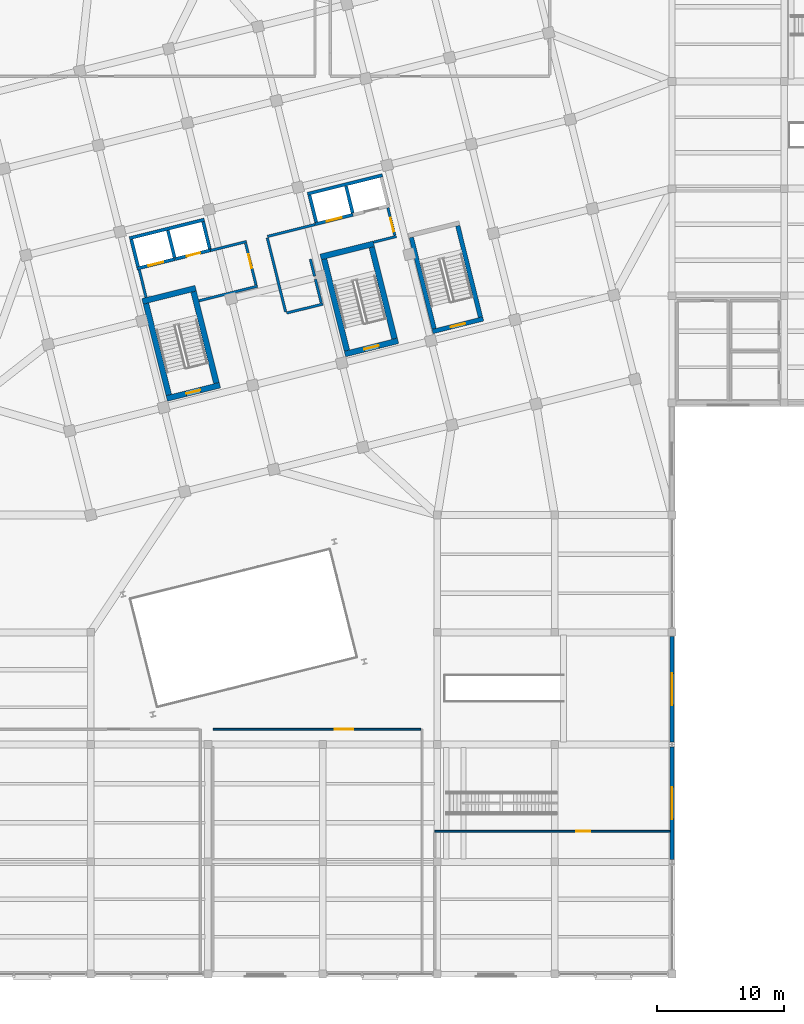
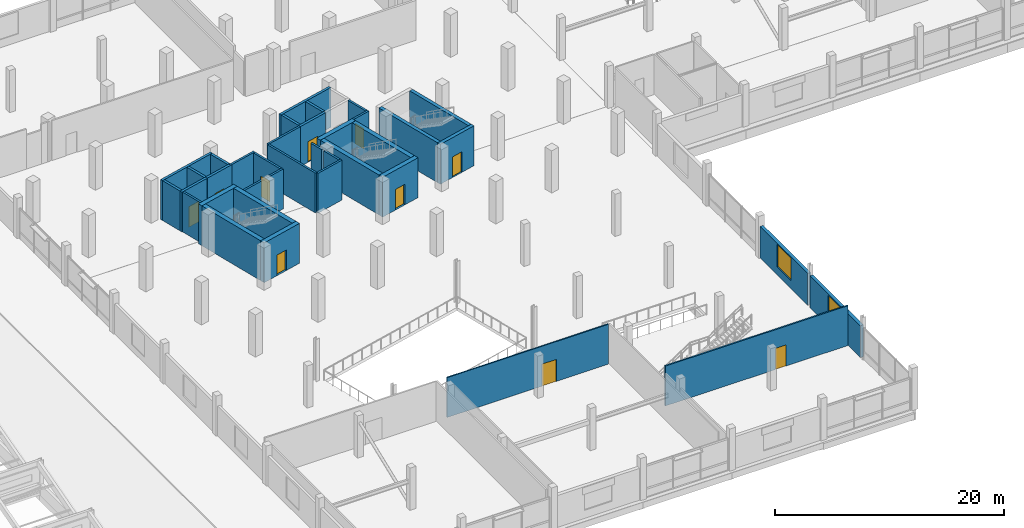
# One storey, part 66 of 77: 36 walls, 10 doors, 2 windows, 12 openings.
"""IFC4 building model written with IfcOpenShell, lengths in metres."""

from ifc_helpers import new_model, si_unit, direction, frame, frame_2d, origin, place, context, subcontext, project, spatial, rectangle, extrude, material, layer, layer_set, type_object, element, fill, save


model = new_model("IFC4")

# Units and contexts
model_context = context("Model", 3, precision=1e-05, world=origin(), true_north=direction((0.0, 1.0)))
body_context = subcontext(model_context, "Body", "Model", "MODEL_VIEW")
ifc_project = project(units=[si_unit("LENGTHUNIT", "METRE"), si_unit("AREAUNIT", "SQUARE_METRE"), si_unit("VOLUMEUNIT", "CUBIC_METRE"), si_unit("PLANEANGLEUNIT", "RADIAN"), si_unit("MASSUNIT", "GRAM", prefix="KILO")], contexts=[model_context])

# Site, building, storey
site_placement = place(None, origin())
site = spatial("IfcSite", under=ifc_project, at=site_placement, CompositionType="ELEMENT")
building_placement = place(site_placement, origin())
building = spatial("IfcBuilding", under=site, at=building_placement, Name="Meriwether Solvik Hall", CompositionType="ELEMENT")
storey_placement = place(building_placement, frame((0.0, 0.0, 9.89990234375)))
storey = spatial("IfcBuildingStorey", under=building, at=storey_placement, Name="L02", CompositionType="ELEMENT", Elevation=9.89990234375)

# Wall, opening, window
ifc_material_1 = material(Name="Concrete C40/50 Precast", Category="concrete")
ifc_layer_1 = layer(ifc_material_1, 0.31494140625)
ifc_layer_set_1 = layer_set([ifc_layer_1], Name="Concrete C40/50 Precast")
wall_type_1 = type_object("IfcWallType", Name="WALL-EXT-315", PredefinedType="SOLIDWALL", material=ifc_layer_set_1)
wall_1_placement = place(storey_placement, frame((114.199951171875, 23.010009765625, 0.0), z_axis=(0.0, 0.0, 1.0), x_axis=(0.0, -1.0, 0.0)))
wall_1 = element("IfcWall", 1, at=wall_1_placement, inside=storey, type_object=wall_type_1, Name="L02 E Wing Facade Wall Y13_2_38", PredefinedType="SOLIDWALL", context=body_context, shape_type="SweptSolid", body=[
    extrude(rectangle(XDim=8.820068359375, YDim=0.31494140625, at=frame_2d((4.41015625, 0.0))), origin(), (0.0, 0.0, 1.0), 3.39501953125),
])
opening_1_placement = place(wall_1_placement, frame((3.159912109375, 0.0, 0.85009765625)))
opening_1 = element("IfcOpeningElement", 2, at=opening_1_placement, cuts=wall_1, Name="Opening WN-144", PredefinedType="OPENING", context=body_context, shape_type="SweptSolid", body=[
    extrude(rectangle(XDim=2.5, YDim=2.39990234375, at=frame_2d((1.25, 1.199951171875))), frame((0.0, 0.16943359375, 0.0), z_axis=(0.0, -1.0, 0.0), x_axis=(1.0, 0.0, 0.0)), (0.0, 0.0, 1.0), 0.3388671875),
])
ifc_material_2 = material(Name="Thermally Broken Anodised Aluminium and Triple Low-E Glass", Category="aluminium")
window_type = type_object("IfcWindowType", Name="WIN-POD-EAST-250X240", PartitioningType="SINGLE_PANEL", PredefinedType="WINDOW", material=ifc_material_2)
window_1_placement = place(opening_1_placement, origin())
window_1 = element("IfcWindow", 3, at=window_1_placement, inside=storey, type_object=window_type, Name="L02 E Window Y13_2_38", OverallHeight=2.39990234375, OverallWidth=2.5, PartitioningType="SINGLE_PANEL", PredefinedType="WINDOW", context=body_context, shape_type="SweptSolid", body=[
    extrude(rectangle(XDim=2.5, YDim=2.39990234375, at=frame_2d((1.25, 1.199951171875))), frame((0.0, 0.030029296875, 0.0), z_axis=(0.0, -1.0, 0.0), x_axis=(1.0, 0.0, 0.0)), (0.0, 0.0, 1.0), 0.06005859375),
])
fill(opening_1, window_1)

wall_2_placement = place(storey_placement, frame((114.199951171875, 31.68798828125, 0.0), z_axis=(0.0, 0.0, 1.0), x_axis=(0.0, -1.0, 0.0)))
wall_2 = element("IfcWall", 4, at=wall_2_placement, inside=storey, type_object=wall_type_1, Name="L02 E Wing Facade Wall Y13_3_39", PredefinedType="SOLIDWALL", context=body_context, shape_type="SweptSolid", body=[
    extrude(rectangle(XDim=8.298095703125, YDim=0.31494140625, at=frame_2d((4.14892578125, 0.0))), origin(), (0.0, 0.0, 1.0), 3.39501953125),
])
opening_2_placement = place(wall_2_placement, frame((2.89892578125, 0.0, 0.85009765625)))
opening_2 = element("IfcOpeningElement", 5, at=opening_2_placement, cuts=wall_2, Name="Opening WN-144", PredefinedType="OPENING", context=body_context, shape_type="SweptSolid", body=[
    extrude(rectangle(XDim=2.5, YDim=2.39990234375, at=frame_2d((1.25, 1.199951171875))), frame((0.0, 0.16943359375, 0.0), z_axis=(0.0, -1.0, 0.0), x_axis=(1.0, 0.0, 0.0)), (0.0, 0.0, 1.0), 0.3388671875),
])
window_2_placement = place(opening_2_placement, origin())
window_2 = element("IfcWindow", 6, at=window_2_placement, inside=storey, type_object=window_type, Name="L02 E Window Y13_3_39", OverallHeight=2.39990234375, OverallWidth=2.5, PartitioningType="SINGLE_PANEL", PredefinedType="WINDOW", context=body_context, shape_type="SweptSolid", body=[
    extrude(rectangle(XDim=2.5, YDim=2.39990234375, at=frame_2d((1.25, 1.199951171875))), frame((0.0, 0.030029296875, 0.0), z_axis=(0.0, -1.0, 0.0), x_axis=(1.0, 0.0, 0.0)), (0.0, 0.0, 1.0), 0.06005859375),
])
fill(opening_2, window_2)

# Walls
ifc_material_3 = material(Name="Fire-Rated Type X Gypsum Board", Category="gypsum")
ifc_layer_2 = layer(ifc_material_3, 0.199951171875)
ifc_layer_set_2 = layer_set([ifc_layer_2], Name="Fire-Rated Type X Gypsum Board")
wall_type_2 = type_object("IfcWallType", Name="WALL-FIRE-200", PredefinedType="STANDARD", material=ifc_layer_set_2)
wall_3_placement = place(storey_placement, frame((72.94970703125, 58.269287109375, 0.0), z_axis=(0.0, 0.0, 1.0), x_axis=(-0.24194311862, 0.970290434536, 0.0)))
element("IfcWall", 7, at=wall_3_placement, inside=storey, type_object=wall_type_2, Name="L02 Interior Partition lb1_w", PredefinedType="STANDARD", context=body_context, shape_type="SweptSolid", body=[
    extrude(rectangle(XDim=2.22998046875, YDim=0.199951171875, at=frame_2d((1.114990234375, 0.0))), origin(), (0.0, 0.0, 1.0), 4.255126953125),
])
wall_4_placement = place(storey_placement, frame((77.096923828125, 58.0048828125, 0.0), z_axis=(0.0, 0.0, 1.0), x_axis=(0.970305892741, 0.241881116483, 0.0)))
element("IfcWall", 8, at=wall_4_placement, inside=storey, type_object=wall_type_2, Name="L02 Interior Partition lb1_s", PredefinedType="STANDARD", context=body_context, shape_type="SweptSolid", body=[
    extrude(rectangle(XDim=4.73974609375, YDim=0.199951171875, at=frame_2d((2.369873046875, 0.0))), origin(), (0.0, 0.0, 1.0), 4.255126953125),
])
wall_5_placement = place(storey_placement, frame((77.991943359375, 61.938232421875, 0.0), z_axis=(0.0, 0.0, 1.0), x_axis=(0.970304586447, 0.241886356621, 0.0)))
element("IfcWall", 9, at=wall_5_placement, inside=storey, type_object=wall_type_2, Name="L02 Interior Partition lb1_n_cap", PredefinedType="STANDARD", context=body_context, shape_type="SweptSolid", body=[
    extrude(rectangle(XDim=2.919921875, YDim=0.199951171875, at=frame_2d((1.4599609375, 0.0))), origin(), (0.0, 0.0, 1.0), 4.255126953125),
])

# Wall, opening, door
wall_6_placement = place(storey_placement, frame((80.75732421875, 62.50390625, 0.0), z_axis=(0.0, 0.0, 1.0), x_axis=(0.241885902723, -0.970304699599, 0.0)))
wall_6 = element("IfcWall", 10, at=wall_6_placement, inside=storey, type_object=wall_type_2, Name="L02 Interior Partition lb1_e", PredefinedType="STANDARD", context=body_context, shape_type="SweptSolid", body=[
    extrude(rectangle(XDim=3.360107421875, YDim=0.199951171875, at=frame_2d((1.68017578125, 0.0))), origin(), (0.0, 0.0, 1.0), 4.255126953125),
])
opening_3_placement = place(wall_6_placement, frame((0.889892578125, 0.0, 0.0)))
opening_3 = element("IfcOpeningElement", 11, at=opening_3_placement, cuts=wall_6, Name="Opening D-168", PredefinedType="OPENING", context=body_context, shape_type="SweptSolid", body=[
    extrude(rectangle(XDim=1.10009765625, YDim=2.199951171875, at=frame_2d((0.550048828125, 1.10009765625))), frame((0.0, 0.11181640625, 0.0), z_axis=(0.0, -1.0, 0.0), x_axis=(1.0, 0.0, 0.0)), (0.0, 0.0, 1.0), 0.223876953125),
])
ifc_material_4 = material(Name="Steel A36 Galvanised", Category="steel")
door_type_1 = type_object("IfcDoorType", Name="DR-FD60-1100L", OperationType="SINGLE_SWING_LEFT", PredefinedType="DOOR", material=ifc_material_4)
door_1_placement = place(opening_3_placement, origin())
door_1 = element("IfcDoor", 12, at=door_1_placement, inside=storey, type_object=door_type_1, Name="West FSAE Lift Lobby Door (L02)", OperationType="SINGLE_SWING_LEFT", OverallHeight=2.199951171875, OverallWidth=1.10009765625, PredefinedType="DOOR", context=body_context, shape_type="SweptSolid", body=[
    extrude(rectangle(XDim=1.10009765625, YDim=2.199951171875, at=frame_2d((0.550048828125, 1.10009765625))), frame((0.0, 0.02490234375, 0.0), z_axis=(0.0, -1.0, 0.0), x_axis=(1.0, 0.0, 0.0)), (0.0, 0.0, 1.0), 0.050048828125),
])
fill(opening_3, door_1)

# Walls
wall_7_placement = place(storey_placement, frame((82.452880859375, 62.93701171875, 0.0), z_axis=(0.0, 0.0, 1.0), x_axis=(0.241891967324, -0.970303187743, 0.0)))
element("IfcWall", 13, at=wall_7_placement, inside=storey, type_object=wall_type_2, Name="L02 Interior Partition lb2_w", PredefinedType="STANDARD", context=body_context, shape_type="SweptSolid", body=[
    extrude(rectangle(XDim=5.97998046875, YDim=0.199951171875, at=frame_2d((2.989990234375, 0.0))), origin(), (0.0, 0.0, 1.0), 4.255126953125),
])
wall_8_placement = place(storey_placement, frame((83.972412109375, 57.03955078125, 0.0), z_axis=(0.0, 0.0, 1.0), x_axis=(0.970308790931, 0.241869490102, 0.0)))
element("IfcWall", 14, at=wall_8_placement, inside=storey, type_object=wall_type_2, Name="L02 Interior Partition lb2_s_w", PredefinedType="STANDARD", context=body_context, shape_type="SweptSolid", body=[
    extrude(rectangle(XDim=2.932373046875, YDim=0.199951171875, at=frame_2d((1.46630859375, 0.0))), origin(), (0.0, 0.0, 1.0), 4.255126953125),
])
wall_9_placement = place(storey_placement, frame((86.691650390625, 57.841064453125, 0.0), z_axis=(0.0, 0.0, 1.0), x_axis=(-0.241992731984, 0.970278062035, 0.0)))
element("IfcWall", 15, at=wall_9_placement, inside=storey, type_object=wall_type_2, Name="L02 Interior Partition lb2_e_low", PredefinedType="STANDARD", context=body_context, shape_type="SweptSolid", body=[
    extrude(rectangle(XDim=1.90478515625, YDim=0.199951171875, at=frame_2d((0.952392578125, 0.0))), origin(), (0.0, 0.0, 1.0), 4.255126953125),
])
wall_10_placement = place(storey_placement, frame((86.169921875, 59.932861328125, 0.0), z_axis=(0.0, 0.0, 1.0), x_axis=(-0.241824833036, 0.970319921535, 0.0)))
element("IfcWall", 16, at=wall_10_placement, inside=storey, type_object=wall_type_2, Name="L02 Interior Partition lb2_e_low_s2", PredefinedType="STANDARD", context=body_context, shape_type="SweptSolid", body=[
    extrude(rectangle(XDim=1.3740234375, YDim=0.199951171875, at=frame_2d((0.68701171875, 0.0))), origin(), (0.0, 0.0, 1.0), 4.255126953125),
])
wall_11_placement = place(storey_placement, frame((82.47265625, 63.05517578125, 0.0), z_axis=(0.0, 0.0, 1.0), x_axis=(0.970284368558, 0.241967444366, 0.0)))
element("IfcWall", 17, at=wall_11_placement, inside=storey, type_object=wall_type_2, Name="L02 Interior Partition lb2_n_cap_w", PredefinedType="STANDARD", context=body_context, shape_type="SweptSolid", body=[
    extrude(rectangle(XDim=3.84228515625, YDim=0.199951171875, at=frame_2d((1.921142578125, 0.0))), origin(), (0.0, 0.0, 1.0), 4.255126953125),
])
wall_12_placement = place(storey_placement, frame((90.791015625, 62.604248046875, 0.0), z_axis=(0.0, 0.0, 1.0), x_axis=(0.970306180373, 0.241879962645, 0.0)))
element("IfcWall", 18, at=wall_12_placement, inside=storey, type_object=wall_type_2, Name="L02 Interior Partition lb2_s", PredefinedType="STANDARD", context=body_context, shape_type="SweptSolid", body=[
    extrude(rectangle(XDim=1.840087890625, YDim=0.199951171875, at=frame_2d((0.919921875, 0.0))), origin(), (0.0, 0.0, 1.0), 4.255126953125),
])

# Wall, opening, door
wall_13_placement = place(storey_placement, frame((91.913330078125, 65.295654296875, 0.0), z_axis=(0.0, 0.0, 1.0), x_axis=(0.241836892041, -0.970316916089, 0.0)))
wall_13 = element("IfcWall", 19, at=wall_13_placement, inside=storey, type_object=wall_type_2, Name="L02 Interior Partition lb2_e", PredefinedType="STANDARD", context=body_context, shape_type="SweptSolid", body=[
    extrude(rectangle(XDim=2.219970703125, YDim=0.199951171875, at=frame_2d((1.10986328125, 0.0))), origin(), (0.0, 0.0, 1.0), 4.255126953125),
])
opening_4_placement = place(wall_13_placement, frame((0.820068359375, 0.0, 0.0)))
opening_4 = element("IfcOpeningElement", 20, at=opening_4_placement, cuts=wall_13, Name="Opening D-168", PredefinedType="OPENING", context=body_context, shape_type="SweptSolid", body=[
    extrude(rectangle(XDim=1.10009765625, YDim=2.199951171875, at=frame_2d((0.550048828125, 1.10009765625))), frame((0.0, 0.11181640625, 0.0), z_axis=(0.0, -1.0, 0.0), x_axis=(1.0, 0.0, 0.0)), (0.0, 0.0, 1.0), 0.223876953125),
])
door_2_placement = place(opening_4_placement, origin())
door_2 = element("IfcDoor", 21, at=door_2_placement, inside=storey, type_object=door_type_1, Name="East FSAE Lift Lobby Door (L02)", OperationType="SINGLE_SWING_LEFT", OverallHeight=2.199951171875, OverallWidth=1.10009765625, PredefinedType="DOOR", context=body_context, shape_type="SweptSolid", body=[
    extrude(rectangle(XDim=1.10009765625, YDim=2.199951171875, at=frame_2d((0.550048828125, 1.10009765625))), frame((0.0, 0.02490234375, 0.0), z_axis=(0.0, -1.0, 0.0), x_axis=(1.0, 0.0, 0.0)), (0.0, 0.0, 1.0), 0.050048828125),
])
fill(opening_4, door_2)

# Walls
ifc_material_5 = material(Name="Concrete C40/50", Category="concrete")
ifc_layer_3 = layer(ifc_material_5, 0.25)
ifc_layer_set_3 = layer_set([ifc_layer_3], Name="Concrete C40/50")
wall_type_3 = type_object("IfcWallType", Name="WALL-HOIST-250", PredefinedType="SHEAR", material=ifc_layer_set_3)
wall_14_placement = place(storey_placement, frame((77.509765625, 64.36865234375, 0.0), z_axis=(0.0, 0.0, 1.0), x_axis=(-0.970296596103, -0.241918406889, 0.0)))
element("IfcWall", 22, at=wall_14_placement, inside=storey, type_object=wall_type_3, Name="Hoistway BANK1 North Wall (L02)", PredefinedType="SHEAR", context=body_context, shape_type="SweptSolid", body=[
    extrude(rectangle(XDim=6.050048828125, YDim=0.25, at=frame_2d((3.02490234375, 0.0))), origin(), (0.0, 0.0, 1.0), 4.255126953125),
])
for number, where, z_axis, x_axis, name in (
    (23, (71.793212890625, 62.80419921875, 0.0), (0.0, 0.0, 1.0), (0.242008581424, -0.970274108959, 0.0), "Hoistway BANK1 West Wall (L02)"),
    (24, (77.948486328125, 62.09228515625, 0.0), (0.0, 0.0, 1.0), (-0.241903146974, 0.970300400641, 0.0), "Hoistway BANK1 East Wall (L02)"),
    (25, (75.18310546875, 61.402587890625, 0.0), (0.0, 0.0, 1.0), (-0.241903146974, 0.970300400641, 0.0), "Hoistway BANK1 Divider Pier (L02)"),
):
    element("IfcWall", number, at=place(storey_placement, frame(where, z_axis=z_axis, x_axis=x_axis)), inside=storey, type_object=wall_type_3, Name=name, PredefinedType="SHEAR", context=body_context, shape_type="SweptSolid", body=[
        extrude(rectangle(XDim=2.179931640625, YDim=0.25, at=frame_2d((1.08984375, 0.0))), origin(), (0.0, 0.0, 1.0), 4.255126953125),
    ])

# Wall, opening, door
wall_15_placement = place(storey_placement, frame((72.232177734375, 60.52783203125, 0.0), z_axis=(0.0, 0.0, 1.0), x_axis=(0.970296930481, 0.241917065747, 0.0)))
wall_15 = element("IfcWall", 26, at=wall_15_placement, inside=storey, type_object=wall_type_3, Name="Lift LF-01 Landing Wall (L02)", PredefinedType="SHEAR", context=body_context, shape_type="SweptSolid", body=[
    extrude(rectangle(XDim=3.06494140625, YDim=0.25, at=frame_2d((1.532470703125, 0.0))), origin(), (0.0, 0.0, 1.0), 4.255126953125),
])
opening_5_placement = place(wall_15_placement, frame((0.9326171875, 0.0, 0.0)))
opening_5 = element("IfcOpeningElement", 27, at=opening_5_placement, cuts=wall_15, Name="Opening LD-01", PredefinedType="OPENING", context=body_context, shape_type="SweptSolid", body=[
    extrude(rectangle(XDim=1.199951171875, YDim=2.199951171875, at=frame_2d((0.60009765625, 1.10009765625))), frame((0.0, 0.136962890625, 0.0), z_axis=(0.0, -1.0, 0.0), x_axis=(1.0, 0.0, 0.0)), (0.0, 0.0, 1.0), 0.27392578125),
])
ifc_material_6 = material(Name="Stainless Steel AISI 316", Category="steel")
door_type_2 = type_object("IfcDoorType", Name="DR-LIFT-FSAE", OperationType="DOUBLE_DOOR_SLIDING", PredefinedType="DOOR", material=ifc_material_6)
door_3_placement = place(opening_5_placement, origin())
door_3 = element("IfcDoor", 28, at=door_3_placement, inside=storey, type_object=door_type_2, Name="Lift Landing Door LF-01 (L02)", OperationType="DOUBLE_DOOR_SLIDING", OverallHeight=2.199951171875, OverallWidth=1.199951171875, PredefinedType="DOOR", context=body_context, shape_type="SweptSolid", body=[
    extrude(rectangle(XDim=1.199951171875, YDim=2.199951171875, at=frame_2d((0.60009765625, 1.10009765625))), frame((0.0, 0.02490234375, 0.0), z_axis=(0.0, -1.0, 0.0), x_axis=(1.0, 0.0, 0.0)), (0.0, 0.0, 1.0), 0.050048828125),
])
fill(opening_5, door_3)

wall_16_placement = place(storey_placement, frame((75.225341796875, 61.274169921875, 0.0), z_axis=(0.0, 0.0, 1.0), x_axis=(0.970297295425, 0.241915601999, 0.0)))
wall_16 = element("IfcWall", 29, at=wall_16_placement, inside=storey, type_object=wall_type_3, Name="Lift LP-01 Landing Wall (L02)", PredefinedType="SHEAR", context=body_context, shape_type="SweptSolid", body=[
    extrude(rectangle(XDim=2.965087890625, YDim=0.25, at=frame_2d((1.482421875, 0.0))), origin(), (0.0, 0.0, 1.0), 4.255126953125),
])
opening_6_placement = place(wall_16_placement, frame((0.9326171875, 0.0, 0.0)))
opening_6 = element("IfcOpeningElement", 30, at=opening_6_placement, cuts=wall_16, Name="Opening LD-03", PredefinedType="OPENING", context=body_context, shape_type="SweptSolid", body=[
    extrude(rectangle(XDim=1.10009765625, YDim=2.14990234375, at=frame_2d((0.550048828125, 1.074951171875))), frame((0.0, 0.136962890625, 0.0), z_axis=(0.0, -1.0, 0.0), x_axis=(1.0, 0.0, 0.0)), (0.0, 0.0, 1.0), 0.27392578125),
])
ifc_material_7 = material(Name="Stainless Steel AISI 316", Category="steel")
door_type_3 = type_object("IfcDoorType", Name="DR-LIFT-PASS", OperationType="DOUBLE_DOOR_SLIDING", PredefinedType="DOOR", material=ifc_material_7)
door_4_placement = place(opening_6_placement, origin())
door_4 = element("IfcDoor", 31, at=door_4_placement, inside=storey, type_object=door_type_3, Name="Lift Landing Door LP-01 (L02)", OperationType="DOUBLE_DOOR_SLIDING", OverallHeight=2.14990234375, OverallWidth=1.10009765625, PredefinedType="DOOR", context=body_context, shape_type="SweptSolid", body=[
    extrude(rectangle(XDim=1.10009765625, YDim=2.14990234375, at=frame_2d((0.550048828125, 1.074951171875))), frame((0.0, 0.02490234375, 0.0), z_axis=(0.0, -1.0, 0.0), x_axis=(1.0, 0.0, 0.0)), (0.0, 0.0, 1.0), 0.050048828125),
])
fill(opening_6, door_4)

# Walls
wall_17_placement = place(storey_placement, frame((91.48193359375, 67.852294921875, 0.0), z_axis=(0.0, 0.0, 1.0), x_axis=(-0.970296596103, -0.241918406889, 0.0)))
element("IfcWall", 32, at=wall_17_placement, inside=storey, type_object=wall_type_3, Name="Hoistway BANK2 North Wall (L02)", PredefinedType="SHEAR", context=body_context, shape_type="SweptSolid", body=[
    extrude(rectangle(XDim=6.050048828125, YDim=0.25, at=frame_2d((3.02490234375, 0.0))), origin(), (0.0, 0.0, 1.0), 4.255126953125),
])
for number, where, z_axis, x_axis, name in (
    (33, (85.765625, 66.287841796875, 0.0), (0.0, 0.0, 1.0), (0.241903146974, -0.970300400641, 0.0), "Hoistway BANK2 West Wall (L02)"),
    (34, (89.1552734375, 64.886474609375, 0.0), (0.0, 0.0, 1.0), (-0.241903146974, 0.970300400641, 0.0), "Hoistway BANK2 Divider Pier (L02)"),
):
    element("IfcWall", number, at=place(storey_placement, frame(where, z_axis=z_axis, x_axis=x_axis)), inside=storey, type_object=wall_type_3, Name=name, PredefinedType="SHEAR", context=body_context, shape_type="SweptSolid", body=[
        extrude(rectangle(XDim=2.179931640625, YDim=0.25, at=frame_2d((1.08984375, 0.0))), origin(), (0.0, 0.0, 1.0), 4.255126953125),
    ])

# Wall, opening, door
wall_18_placement = place(storey_placement, frame((86.204345703125, 64.011474609375, 0.0), z_axis=(0.0, 0.0, 1.0), x_axis=(0.970296930481, 0.241917065747, 0.0)))
wall_18 = element("IfcWall", 35, at=wall_18_placement, inside=storey, type_object=wall_type_3, Name="Lift LF-02 Landing Wall (L02)", PredefinedType="SHEAR", context=body_context, shape_type="SweptSolid", body=[
    extrude(rectangle(XDim=3.06494140625, YDim=0.25, at=frame_2d((1.532470703125, 0.0))), origin(), (0.0, 0.0, 1.0), 4.255126953125),
])
opening_7_placement = place(wall_18_placement, frame((0.9326171875, 0.0, 0.0)))
opening_7 = element("IfcOpeningElement", 36, at=opening_7_placement, cuts=wall_18, Name="Opening LD-02", PredefinedType="OPENING", context=body_context, shape_type="SweptSolid", body=[
    extrude(rectangle(XDim=1.199951171875, YDim=2.199951171875, at=frame_2d((0.60009765625, 1.10009765625))), frame((0.0, 0.136962890625, 0.0), z_axis=(0.0, -1.0, 0.0), x_axis=(1.0, 0.0, 0.0)), (0.0, 0.0, 1.0), 0.27392578125),
])
door_5_placement = place(opening_7_placement, origin())
door_5 = element("IfcDoor", 37, at=door_5_placement, inside=storey, type_object=door_type_2, Name="Lift Landing Door LF-02 (L02)", OperationType="DOUBLE_DOOR_SLIDING", OverallHeight=2.199951171875, OverallWidth=1.199951171875, PredefinedType="DOOR", context=body_context, shape_type="SweptSolid", body=[
    extrude(rectangle(XDim=1.199951171875, YDim=2.199951171875, at=frame_2d((0.60009765625, 1.10009765625))), frame((0.0, 0.02490234375, 0.0), z_axis=(0.0, -1.0, 0.0), x_axis=(1.0, 0.0, 0.0)), (0.0, 0.0, 1.0), 0.050048828125),
])
fill(opening_7, door_5)

ifc_material_8 = material(Name="Gypsum Board Partition", Category="gypsum")
ifc_layer_4 = layer(ifc_material_8, 0.125)
ifc_layer_set_4 = layer_set([ifc_layer_4], Name="Gypsum Board Partition")
wall_type_4 = type_object("IfcWallType", Name="WALL-PART-125", PredefinedType="PARTITIONING", material=ifc_layer_set_4)
wall_19_placement = place(storey_placement, frame((94.47998046875, 24.39990234375, 0.0), z_axis=(0.0, 0.0, 1.0), x_axis=(-1.0, 0.0, 0.0)))
wall_19 = element("IfcWall", 38, at=wall_19_placement, inside=storey, type_object=wall_type_4, Name="L02 Interior Partition fac_201b_n", PredefinedType="PARTITIONING", context=body_context, shape_type="SweptSolid", body=[
    extrude(rectangle(XDim=16.280029296875, YDim=0.125, at=frame_2d((8.14013671875, 0.0))), origin(), (0.0, 0.0, 1.0), 4.255126953125),
])
opening_8_placement = place(wall_19_placement, frame((5.2666015625, 0.0, 0.0)))
opening_8 = element("IfcOpeningElement", 39, at=opening_8_placement, cuts=wall_19, Name="Opening D-152", PredefinedType="OPENING", context=body_context, shape_type="SweptSolid", body=[
    extrude(rectangle(XDim=1.449951171875, YDim=2.35009765625, at=frame_2d((0.72509765625, 1.175048828125))), frame((0.0, 0.074462890625, 0.0), z_axis=(0.0, -1.0, 0.0), x_axis=(1.0, 0.0, 0.0)), (0.0, 0.0, 1.0), 0.14892578125),
])
ifc_material_9 = material(Name="Laminated Vision Glass and Solid White Oak Timber", Category="wood")
door_type_4 = type_object("IfcDoorType", Name="DR-CONF-1450", OperationType="DOUBLE_DOOR_SINGLE_SWING", PredefinedType="DOOR", material=ifc_material_9)
door_6_placement = place(opening_8_placement, origin())
door_6 = element("IfcDoor", 40, at=door_6_placement, inside=storey, type_object=door_type_4, Name="Academic Advising Office 201B Door", OperationType="DOUBLE_DOOR_SINGLE_SWING", OverallHeight=2.35009765625, OverallWidth=1.449951171875, PredefinedType="DOOR", context=body_context, shape_type="SweptSolid", body=[
    extrude(rectangle(XDim=1.449951171875, YDim=2.35009765625, at=frame_2d((0.72509765625, 1.175048828125))), frame((0.0, 0.02490234375, 0.0), z_axis=(0.0, -1.0, 0.0), x_axis=(1.0, 0.0, 0.0)), (0.0, 0.0, 1.0), 0.050048828125),
])
fill(opening_8, door_6)

ifc_material_10 = material(Name="Gypsum Board Partition", Category="gypsum")
ifc_layer_5 = layer(ifc_material_10, 0.14990234375)
ifc_layer_set_5 = layer_set([ifc_layer_5], Name="Gypsum Board Partition")
wall_type_5 = type_object("IfcWallType", Name="WALL-PART-150", PredefinedType="PARTITIONING", material=ifc_layer_set_5)
wall_20_placement = place(storey_placement, frame((114.050048828125, 16.39990234375, 0.0), z_axis=(0.0, 0.0, 1.0), x_axis=(-1.0, 0.0, 0.0)))
wall_20 = element("IfcWall", 41, at=wall_20_placement, inside=storey, type_object=wall_type_5, Name="L02 Interior Partition cls_202_n", PredefinedType="PARTITIONING", context=body_context, shape_type="SweptSolid", body=[
    extrude(rectangle(XDim=18.449951171875, YDim=0.14990234375, at=frame_2d((9.22509765625, 0.0))), origin(), (0.0, 0.0, 1.0), 4.255126953125),
])
opening_9_placement = place(wall_20_placement, frame((6.259521484375, 0.0, 0.0)))
opening_9 = element("IfcOpeningElement", 42, at=opening_9_placement, cuts=wall_20, Name="Opening D-134", PredefinedType="OPENING", context=body_context, shape_type="SweptSolid", body=[
    extrude(rectangle(XDim=1.10009765625, YDim=2.25, at=frame_2d((0.550048828125, 1.125))), frame((0.0, 0.0869140625, 0.0), z_axis=(0.0, -1.0, 0.0), x_axis=(1.0, 0.0, 0.0)), (0.0, 0.0, 1.0), 0.173828125),
])
ifc_material_11 = material(Name="Laminated Vision Glass and Solid White Oak Timber", Category="wood")
door_type_5 = type_object("IfcDoorType", Name="DR-CLS-1100L", OperationType="SINGLE_SWING_LEFT", PredefinedType="DOOR", material=ifc_material_11)
door_7_placement = place(opening_9_placement, origin())
door_7 = element("IfcDoor", 43, at=door_7_placement, inside=storey, type_object=door_type_5, Name="Classroom 202 Door", OperationType="SINGLE_SWING_LEFT", OverallHeight=2.25, OverallWidth=1.10009765625, PredefinedType="DOOR", context=body_context, shape_type="SweptSolid", body=[
    extrude(rectangle(XDim=1.10009765625, YDim=2.25, at=frame_2d((0.550048828125, 1.125))), frame((0.0, 0.02490234375, 0.0), z_axis=(0.0, -1.0, 0.0), x_axis=(1.0, 0.0, 0.0)), (0.0, 0.0, 1.0), 0.050048828125),
])
fill(opening_9, door_7)

ifc_material_12 = material(Name="Concrete C40/50", Category="concrete")
ifc_layer_6 = layer(ifc_material_12, 0.35009765625)
ifc_layer_set_6 = layer_set([ifc_layer_6], Name="Concrete C40/50")
wall_type_6 = type_object("IfcWallType", Name="WALL-RC-350", PredefinedType="SHEAR", material=ifc_layer_set_6)
wall_21_placement = place(storey_placement, frame((95.415283203125, 55.589599609375, 0.0), z_axis=(0.0, 0.0, 1.0), x_axis=(0.970292928015, 0.241933118535, 0.0)))
wall_21 = element("IfcWall", 44, at=wall_21_placement, inside=storey, type_object=wall_type_6, Name="CORE-3 Shear Wall S (L02)", PredefinedType="SHEAR", context=body_context, shape_type="SweptSolid", body=[
    extrude(rectangle(XDim=4.10009765625, YDim=0.35009765625, at=frame_2d((2.050048828125, 0.0))), origin(), (0.0, 0.0, 1.0), 4.255126953125),
])
opening_10_placement = place(wall_21_placement, frame((1.47509765625, 0.0, 0.0)))
opening_10 = element("IfcOpeningElement", 45, at=opening_10_placement, cuts=wall_21, Name="Opening D-148", PredefinedType="OPENING", context=body_context, shape_type="SweptSolid", body=[
    extrude(rectangle(XDim=1.14990234375, YDim=2.199951171875, at=frame_2d((0.574951171875, 1.10009765625))), frame((0.0, 0.18701171875, 0.0), z_axis=(0.0, -1.0, 0.0), x_axis=(1.0, 0.0, 0.0)), (0.0, 0.0, 1.0), 0.3740234375),
])
ifc_material_13 = material(Name="Steel A36 Galvanised", Category="steel")
door_type_6 = type_object("IfcDoorType", Name="DR-FD90-1150R", OperationType="SINGLE_SWING_RIGHT", PredefinedType="DOOR", material=ifc_material_13)
door_8_placement = place(opening_10_placement, origin())
door_8 = element("IfcDoor", 46, at=door_8_placement, inside=storey, type_object=door_type_6, Name="Stair ST-03 Smokeproof Exit Door (L02)", OperationType="SINGLE_SWING_RIGHT", OverallHeight=2.199951171875, OverallWidth=1.14990234375, PredefinedType="DOOR", context=body_context, shape_type="SweptSolid", body=[
    extrude(rectangle(XDim=1.14990234375, YDim=2.199951171875, at=frame_2d((0.574951171875, 1.10009765625))), frame((0.0, 0.02490234375, 0.0), z_axis=(0.0, -1.0, 0.0), x_axis=(1.0, 0.0, 0.0)), (0.0, 0.0, 1.0), 0.050048828125),
])
fill(opening_10, door_8)

# Walls
for number, where, z_axis, x_axis, name in (
    (47, (93.755126953125, 62.97216796875, 0.0), (0.0, 0.0, 1.0), (0.241897280066, -0.970301863286, 0.0), "CORE-3 Shear Wall W (L02)"),
    (48, (99.178955078125, 56.71875, 0.0), (0.0, 0.0, 1.0), (-0.241928426141, 0.970294098006, 0.0), "CORE-3 Shear Wall E (L02)"),
):
    element("IfcWall", number, at=place(storey_placement, frame(where, z_axis=z_axis, x_axis=x_axis)), inside=storey, type_object=wall_type_6, Name=name, PredefinedType="SHEAR", context=body_context, shape_type="SweptSolid", body=[
        extrude(rectangle(XDim=7.3798828125, YDim=0.35009765625, at=frame_2d((3.68994140625, 0.0))), origin(), (0.0, 0.0, 1.0), 4.255126953125),
    ])

# Wall, opening, door
ifc_material_14 = material(Name="Concrete C45/55", Category="concrete")
ifc_layer_7 = layer(ifc_material_14, 0.449951171875)
ifc_layer_set_7 = layer_set([ifc_layer_7], Name="Concrete C45/55")
wall_type_7 = type_object("IfcWallType", Name="WALL-RC-450", PredefinedType="SHEAR", material=ifc_layer_set_7)
wall_22_placement = place(storey_placement, frame((74.566162109375, 50.33984375, 0.0), z_axis=(0.0, 0.0, 1.0), x_axis=(0.970292610647, 0.241934391361, 0.0)))
wall_22 = element("IfcWall", 49, at=wall_22_placement, inside=storey, type_object=wall_type_7, Name="CORE-1 Shear Wall S (L02)", PredefinedType="SHEAR", context=body_context, shape_type="SweptSolid", body=[
    extrude(rectangle(XDim=4.2998046875, YDim=0.449951171875, at=frame_2d((2.14990234375, 0.0))), origin(), (0.0, 0.0, 1.0), 4.255126953125),
])
opening_11_placement = place(wall_22_placement, frame((1.574951171875, 0.0, 0.0)))
opening_11 = element("IfcOpeningElement", 50, at=opening_11_placement, cuts=wall_22, Name="Opening D-189", PredefinedType="OPENING", context=body_context, shape_type="SweptSolid", body=[
    extrude(rectangle(XDim=1.14990234375, YDim=2.199951171875, at=frame_2d((0.574951171875, 1.10009765625))), frame((0.0, 0.23681640625, 0.0), z_axis=(0.0, -1.0, 0.0), x_axis=(1.0, 0.0, 0.0)), (0.0, 0.0, 1.0), 0.473876953125),
])
ifc_material_15 = material(Name="Steel A36 Galvanised", Category="steel")
door_type_7 = type_object("IfcDoorType", Name="DR-FD90-1150L", OperationType="SINGLE_SWING_LEFT", PredefinedType="DOOR", material=ifc_material_15)
door_9_placement = place(opening_11_placement, origin())
door_9 = element("IfcDoor", 51, at=door_9_placement, inside=storey, type_object=door_type_7, Name="Stair ST-01 Smokeproof Exit Door (L02)", OperationType="SINGLE_SWING_LEFT", OverallHeight=2.199951171875, OverallWidth=1.14990234375, PredefinedType="DOOR", context=body_context, shape_type="SweptSolid", body=[
    extrude(rectangle(XDim=1.14990234375, YDim=2.199951171875, at=frame_2d((0.574951171875, 1.10009765625))), frame((0.0, 0.02490234375, 0.0), z_axis=(0.0, -1.0, 0.0), x_axis=(1.0, 0.0, 0.0)), (0.0, 0.0, 1.0), 0.050048828125),
])
fill(opening_11, door_9)

# Walls
wall_23_placement = place(storey_placement, frame((76.83935546875, 58.996826171875, 0.0), z_axis=(0.0, 0.0, 1.0), x_axis=(-0.970295933763, -0.241921063415, 0.0)))
element("IfcWall", 52, at=wall_23_placement, inside=storey, type_object=wall_type_7, Name="CORE-1 Shear Wall N (L02)", PredefinedType="SHEAR", context=body_context, shape_type="SweptSolid", body=[
    extrude(rectangle(XDim=4.300048828125, YDim=0.449951171875, at=frame_2d((2.14990234375, 0.0))), origin(), (0.0, 0.0, 1.0), 4.255126953125),
])
for number, where, z_axis, x_axis, name in (
    (53, (72.942138671875, 57.782958984375, 0.0), (0.0, 0.0, 1.0), (0.241928426141, -0.970294098006, 0.0), "CORE-1 Shear Wall W (L02)"),
    (54, (78.463134765625, 51.5537109375, 0.0), (0.0, 0.0, 1.0), (-0.241928426141, 0.970294098006, 0.0), "CORE-1 Shear Wall E (L02)"),
):
    element("IfcWall", number, at=place(storey_placement, frame(where, z_axis=z_axis, x_axis=x_axis)), inside=storey, type_object=wall_type_7, Name=name, PredefinedType="SHEAR", context=body_context, shape_type="SweptSolid", body=[
        extrude(rectangle(XDim=7.3798828125, YDim=0.449951171875, at=frame_2d((3.68994140625, 0.0))), origin(), (0.0, 0.0, 1.0), 4.255126953125),
    ])

# Wall, opening, door
wall_24_placement = place(storey_placement, frame((88.538330078125, 53.823486328125, 0.0), z_axis=(0.0, 0.0, 1.0), x_axis=(0.970295933763, 0.241921063415, 0.0)))
wall_24 = element("IfcWall", 55, at=wall_24_placement, inside=storey, type_object=wall_type_7, Name="CORE-2 Shear Wall S (L02)", PredefinedType="SHEAR", context=body_context, shape_type="SweptSolid", body=[
    extrude(rectangle(XDim=4.300048828125, YDim=0.449951171875, at=frame_2d((2.14990234375, 0.0))), origin(), (0.0, 0.0, 1.0), 4.255126953125),
])
opening_12_placement = place(wall_24_placement, frame((1.574951171875, 0.0, 0.0)))
opening_12 = element("IfcOpeningElement", 56, at=opening_12_placement, cuts=wall_24, Name="Opening D-148", PredefinedType="OPENING", context=body_context, shape_type="SweptSolid", body=[
    extrude(rectangle(XDim=1.14990234375, YDim=2.199951171875, at=frame_2d((0.574951171875, 1.10009765625))), frame((0.0, 0.23681640625, 0.0), z_axis=(0.0, -1.0, 0.0), x_axis=(1.0, 0.0, 0.0)), (0.0, 0.0, 1.0), 0.473876953125),
])
door_10_placement = place(opening_12_placement, origin())
door_10 = element("IfcDoor", 57, at=door_10_placement, inside=storey, type_object=door_type_6, Name="Stair ST-02 Smokeproof Exit Door (L02)", OperationType="SINGLE_SWING_RIGHT", OverallHeight=2.199951171875, OverallWidth=1.14990234375, PredefinedType="DOOR", context=body_context, shape_type="SweptSolid", body=[
    extrude(rectangle(XDim=1.14990234375, YDim=2.199951171875, at=frame_2d((0.574951171875, 1.10009765625))), frame((0.0, 0.02490234375, 0.0), z_axis=(0.0, -1.0, 0.0), x_axis=(1.0, 0.0, 0.0)), (0.0, 0.0, 1.0), 0.050048828125),
])
fill(opening_12, door_10)

# Walls
wall_25_placement = place(storey_placement, frame((90.8115234375, 62.48046875, 0.0), z_axis=(0.0, 0.0, 1.0), x_axis=(-0.970309259708, -0.2418676095, 0.0)))
element("IfcWall", 58, at=wall_25_placement, inside=storey, type_object=wall_type_7, Name="CORE-2 Shear Wall N (L02)", PredefinedType="SHEAR", context=body_context, shape_type="SweptSolid", body=[
    extrude(rectangle(XDim=4.300048828125, YDim=0.449951171875, at=frame_2d((2.14990234375, 0.0))), origin(), (0.0, 0.0, 1.0), 4.255126953125),
])
for number, where, z_axis, x_axis, name in (
    (59, (86.91455078125, 61.266845703125, 0.0), (0.0, 0.0, 1.0), (0.241889515465, -0.970303798976, 0.0), "CORE-2 Shear Wall W (L02)"),
    (60, (92.435546875, 55.037353515625, 0.0), (0.0, 0.0, 1.0), (-0.241920660665, 0.970296034179, 0.0), "CORE-2 Shear Wall E (L02)"),
):
    element("IfcWall", number, at=place(storey_placement, frame(where, z_axis=z_axis, x_axis=x_axis)), inside=storey, type_object=wall_type_7, Name=name, PredefinedType="SHEAR", context=body_context, shape_type="SweptSolid", body=[
        extrude(rectangle(XDim=7.380126953125, YDim=0.449951171875, at=frame_2d((3.68994140625, 0.0))), origin(), (0.0, 0.0, 1.0), 4.255126953125),
    ])

save(model, "model.ifc")
